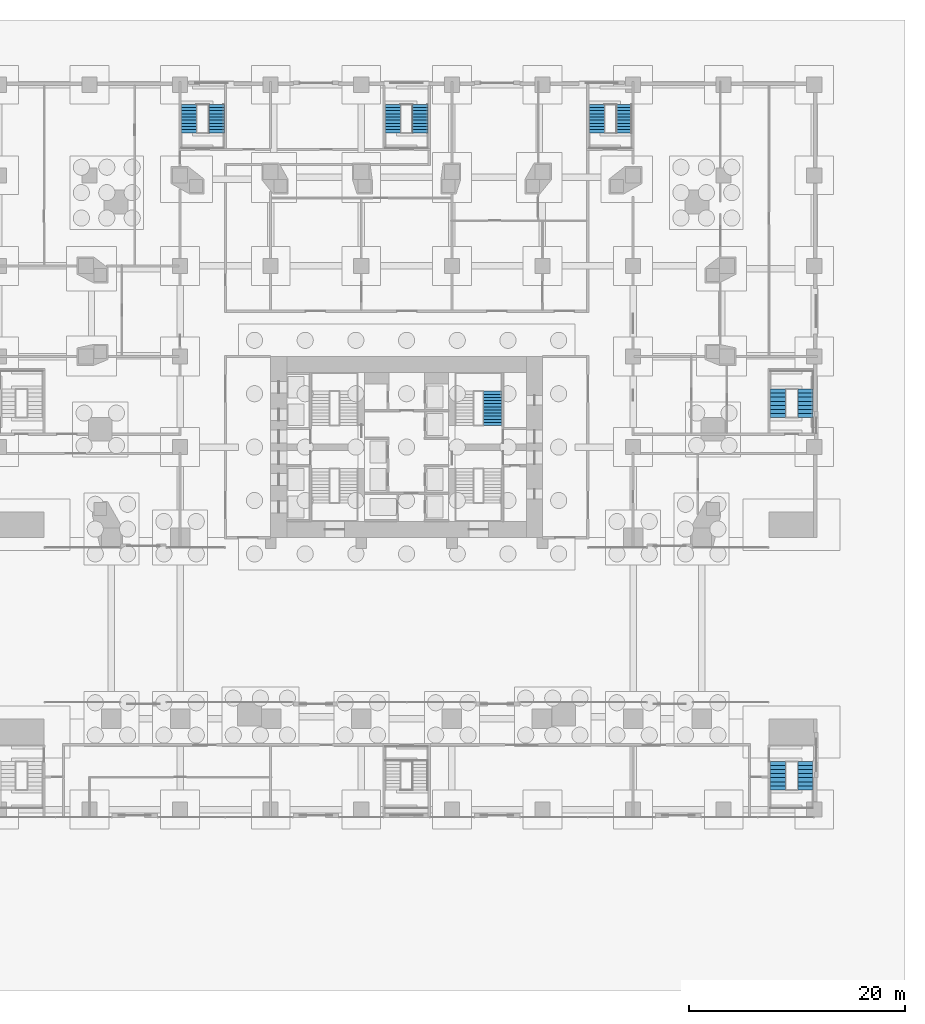
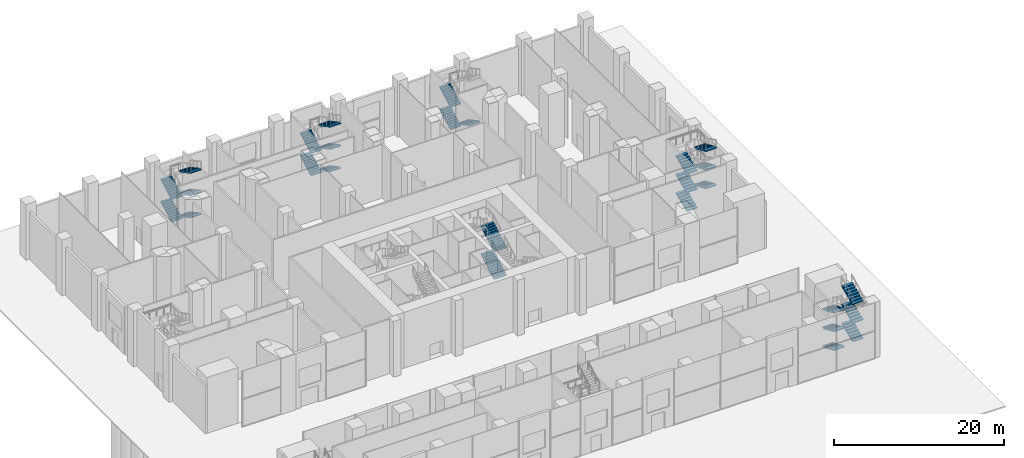
# One storey, part 22 of 31: 27 stair flights, 6 elements without a shape of their own.
"""IFC4 building model written with IfcOpenShell, lengths in metres."""

from ifc_helpers import new_model, si_unit, direction, frame, origin, place, context, subcontext, project, spatial, polyline, outline, extrude, material, type_object, element, aggregate, save


model = new_model("IFC4")

# Units and contexts
model_context = context("Model", 3, precision=1e-05, world=origin(), true_north=direction((0.0, 1.0)))
body_context = subcontext(model_context, "Body", "Model", "MODEL_VIEW")
ifc_project = project(units=[si_unit("LENGTHUNIT", "METRE"), si_unit("AREAUNIT", "SQUARE_METRE"), si_unit("VOLUMEUNIT", "CUBIC_METRE"), si_unit("PLANEANGLEUNIT", "RADIAN"), si_unit("MASSUNIT", "GRAM", prefix="KILO")], contexts=[model_context])

# Site, building, storey
site_placement = place(None, origin())
site = spatial("IfcSite", under=ifc_project, at=site_placement, CompositionType="ELEMENT")
building_placement = place(site_placement, origin())
building = spatial("IfcBuilding", under=site, at=building_placement, Name="Marenta Gate Hotel Tower", CompositionType="ELEMENT")
storey_placement = place(building_placement, origin())
storey = spatial("IfcBuildingStorey", under=building, at=storey_placement, Name="L00", CompositionType="ELEMENT", Elevation=0.0)

# Stair, stair flights
ifc_material_1 = material(Name="Concrete C40", Category="concrete")
stair_type_1 = type_object("IfcStairType", Name="Core exit stair 1700 wide", PredefinedType="HALF_TURN_STAIR", material=ifc_material_1)
stair_1_placement = place(storey_placement, origin())
stair_1 = element("IfcStair", 1, at=stair_1_placement, inside=storey, type_object=stair_type_1, Name="Exit stair 4", PredefinedType="HALF_TURN_STAIR")
ifc_material_2 = material(Name="Concrete C40", Category="concrete")
stair_flight_type_1 = type_object("IfcStairFlightType", Name="Core stair flight 1700 riser 166.7 going 290", PredefinedType="STRAIGHT", material=ifc_material_2)
stair_flight_1_placement = place(storey_placement, frame((8.0, 10.39990234375, 0.0), z_axis=(0.0, 0.0, 1.0), x_axis=(0.0, 1.0, 0.0)))
stair_flight_1 = element("IfcStairFlight", 2, at=stair_flight_1_placement, type_object=stair_flight_type_1, Name="ST4 flight 1", NumberOfRisers=12, NumberOfTreads=11, PredefinedType="STRAIGHT", RiserHeight=0.166667, TreadLength=0.29, context=body_context, shape_type="SweptSolid", body=[
    extrude(outline(polyline([(0.0, 0.0), (0.0, 0.166748046875), (0.2900390625, 0.166748046875), (0.2900390625, 0.333251953125), (0.580078125, 0.333251953125), (0.580078125, 0.5), (0.8701171875, 0.5), (0.8701171875, 0.666748046875), (1.159912109375, 0.666748046875), (1.159912109375, 0.833251953125), (1.449951171875, 0.833251953125), (1.449951171875, 1.0), (1.739990234375, 1.0), (1.739990234375, 1.166748046875), (2.030029296875, 1.166748046875), (2.030029296875, 1.333251953125), (2.320068359375, 1.333251953125), (2.320068359375, 1.5), (2.610107421875, 1.5), (2.610107421875, 1.666748046875), (2.89990234375, 1.666748046875), (2.89990234375, 1.833251953125), (3.18994140625, 1.833251953125), (3.18994140625, 2.0), (3.18994140625, 1.660400390625), (0.30078125, 0.0), (0.0, 0.0)])), frame((0.0, 0.85009765625, 0.0), z_axis=(0.0, -1.0, 0.0), x_axis=(1.0, 0.0, 0.0)), (0.0, 0.0, 1.0), 1.699951171875),
])
stair_flight_2_placement = place(storey_placement, frame((8.0, 10.39990234375, 4.0), z_axis=(0.0, 0.0, 1.0), x_axis=(0.0, 1.0, 0.0)))
stair_flight_2 = element("IfcStairFlight", 3, at=stair_flight_2_placement, type_object=stair_flight_type_1, Name="ST4 flight 3", NumberOfRisers=12, NumberOfTreads=11, PredefinedType="STRAIGHT", RiserHeight=0.166667, TreadLength=0.29, context=body_context, shape_type="SweptSolid", body=[
    extrude(outline(polyline([(0.0, 0.0), (0.0, 0.166748046875), (0.2900390625, 0.166748046875), (0.2900390625, 0.333251953125), (0.580078125, 0.333251953125), (0.580078125, 0.5), (0.8701171875, 0.5), (0.8701171875, 0.666748046875), (1.159912109375, 0.666748046875), (1.159912109375, 0.833251953125), (1.449951171875, 0.833251953125), (1.449951171875, 1.0), (1.739990234375, 1.0), (1.739990234375, 1.166748046875), (2.030029296875, 1.166748046875), (2.030029296875, 1.333251953125), (2.320068359375, 1.333251953125), (2.320068359375, 1.5), (2.610107421875, 1.5), (2.610107421875, 1.666748046875), (2.89990234375, 1.666748046875), (2.89990234375, 1.833251953125), (3.18994140625, 1.833251953125), (3.18994140625, 2.0), (3.18994140625, 1.660400390625), (0.30078125, 0.0), (0.0, 0.0)])), frame((0.0, 0.85009765625, 0.0), z_axis=(0.0, -1.0, 0.0), x_axis=(1.0, 0.0, 0.0)), (0.0, 0.0, 1.0), 1.699951171875),
])
aggregate(stair_1, [stair_flight_1, stair_flight_2])

ifc_material_3 = material(Name="Concrete C40", Category="concrete")
stair_type_2 = type_object("IfcStairType", Name="Podium exit stair 1430 wide", PredefinedType="HALF_TURN_STAIR", material=ifc_material_3)
stair_2_placement = place(storey_placement, origin())
stair_2 = element("IfcStair", 4, at=stair_2_placement, inside=storey, type_object=stair_type_2, Name="Podium exit stair 3", PredefinedType="HALF_TURN_STAIR")
ifc_material_4 = material(Name="Concrete C40", Category="concrete")
stair_flight_type_2 = type_object("IfcStairFlightType", Name="Podium stair flight 1430 riser 160.0 going 295", PredefinedType="STRAIGHT", material=ifc_material_4)
stair_flight_3_placement = place(storey_placement, frame((-17.614990234375, 40.18505859375, 0.0), z_axis=(0.0, 0.0, 1.0), x_axis=(0.0, -1.0, 0.0)))
stair_flight_3 = element("IfcStairFlight", 5, at=stair_flight_3_placement, type_object=stair_flight_type_2, Name="PX3 flight 1", NumberOfRisers=10, NumberOfTreads=9, PredefinedType="STRAIGHT", RiserHeight=0.16, TreadLength=0.295, context=body_context, shape_type="SweptSolid", body=[
    extrude(outline(polyline([(0.0, 0.0), (0.0, 0.159912109375), (0.294921875, 0.159912109375), (0.294921875, 0.320068359375), (0.590087890625, 0.320068359375), (0.590087890625, 0.47998046875), (0.885009765625, 0.47998046875), (0.885009765625, 0.639892578125), (1.179931640625, 0.639892578125), (1.179931640625, 0.800048828125), (1.47509765625, 0.800048828125), (1.47509765625, 0.9599609375), (1.77001953125, 0.9599609375), (1.77001953125, 1.1201171875), (2.06494140625, 1.1201171875), (2.06494140625, 1.280029296875), (2.360107421875, 1.280029296875), (2.360107421875, 1.43994140625), (2.655029296875, 1.43994140625), (2.655029296875, 1.60009765625), (2.655029296875, 1.26953125), (0.314453125, 0.0), (0.0, 0.0)])), frame((0.0, 0.71484375, 0.0), z_axis=(0.0, -1.0, 0.0), x_axis=(1.0, 0.0, 0.0)), (0.0, 0.0, 1.0), 1.429931640625),
])
stair_flight_4_placement = place(storey_placement, frame((-20.18505859375, 37.530029296875, 1.60009765625), z_axis=(0.0, 0.0, 1.0), x_axis=(0.0, 1.0, 0.0)))
stair_flight_4 = element("IfcStairFlight", 6, at=stair_flight_4_placement, type_object=stair_flight_type_2, Name="PX3 flight 2", NumberOfRisers=10, NumberOfTreads=9, PredefinedType="STRAIGHT", RiserHeight=0.16, TreadLength=0.295, context=body_context, shape_type="SweptSolid", body=[
    extrude(outline(polyline([(0.0, 0.0), (0.0, 0.159912109375), (0.294921875, 0.159912109375), (0.294921875, 0.320068359375), (0.590087890625, 0.320068359375), (0.590087890625, 0.47998046875), (0.885009765625, 0.47998046875), (0.885009765625, 0.639892578125), (1.179931640625, 0.639892578125), (1.179931640625, 0.800048828125), (1.47509765625, 0.800048828125), (1.47509765625, 0.9599609375), (1.77001953125, 0.9599609375), (1.77001953125, 1.1201171875), (2.06494140625, 1.1201171875), (2.06494140625, 1.280029296875), (2.360107421875, 1.280029296875), (2.360107421875, 1.43994140625), (2.655029296875, 1.43994140625), (2.655029296875, 1.60009765625), (2.655029296875, 1.26953125), (0.314453125, 0.0), (0.0, 0.0)])), frame((0.0, 0.71484375, 0.0), z_axis=(0.0, -1.0, 0.0), x_axis=(1.0, 0.0, 0.0)), (0.0, 0.0, 1.0), 1.429931640625),
])
stair_flight_5_placement = place(storey_placement, frame((-17.614990234375, 40.18505859375, 3.199951171875), z_axis=(0.0, 0.0, 1.0), x_axis=(0.0, -1.0, 0.0)))
stair_flight_5 = element("IfcStairFlight", 7, at=stair_flight_5_placement, type_object=stair_flight_type_2, Name="PX3 flight 3", NumberOfRisers=10, NumberOfTreads=9, PredefinedType="STRAIGHT", RiserHeight=0.16, TreadLength=0.295, context=body_context, shape_type="SweptSolid", body=[
    extrude(outline(polyline([(0.0, 0.0), (0.0, 0.159912109375), (0.294921875, 0.159912109375), (0.294921875, 0.320068359375), (0.590087890625, 0.320068359375), (0.590087890625, 0.47998046875), (0.885009765625, 0.47998046875), (0.885009765625, 0.639892578125), (1.179931640625, 0.639892578125), (1.179931640625, 0.800048828125), (1.47509765625, 0.800048828125), (1.47509765625, 0.9599609375), (1.77001953125, 0.9599609375), (1.77001953125, 1.1201171875), (2.06494140625, 1.1201171875), (2.06494140625, 1.280029296875), (2.360107421875, 1.280029296875), (2.360107421875, 1.43994140625), (2.655029296875, 1.43994140625), (2.655029296875, 1.60009765625), (2.655029296875, 1.26953125), (0.314453125, 0.0), (0.0, 0.0)])), frame((0.0, 0.71484375, 0.0), z_axis=(0.0, -1.0, 0.0), x_axis=(1.0, 0.0, 0.0)), (0.0, 0.0, 1.0), 1.429931640625),
])
stair_flight_6_placement = place(storey_placement, frame((-20.18505859375, 37.530029296875, 4.800048828125), z_axis=(0.0, 0.0, 1.0), x_axis=(0.0, 1.0, 0.0)))
stair_flight_6 = element("IfcStairFlight", 8, at=stair_flight_6_placement, type_object=stair_flight_type_2, Name="PX3 flight 4", NumberOfRisers=10, NumberOfTreads=9, PredefinedType="STRAIGHT", RiserHeight=0.16, TreadLength=0.295, context=body_context, shape_type="SweptSolid", body=[
    extrude(outline(polyline([(0.0, 0.0), (0.0, 0.159912109375), (0.294921875, 0.159912109375), (0.294921875, 0.320068359375), (0.590087890625, 0.320068359375), (0.590087890625, 0.47998046875), (0.885009765625, 0.47998046875), (0.885009765625, 0.639892578125), (1.179931640625, 0.639892578125), (1.179931640625, 0.800048828125), (1.47509765625, 0.800048828125), (1.47509765625, 0.9599609375), (1.77001953125, 0.9599609375), (1.77001953125, 1.1201171875), (2.06494140625, 1.1201171875), (2.06494140625, 1.280029296875), (2.360107421875, 1.280029296875), (2.360107421875, 1.43994140625), (2.655029296875, 1.43994140625), (2.655029296875, 1.60009765625), (2.655029296875, 1.26953125), (0.314453125, 0.0), (0.0, 0.0)])), frame((0.0, 0.71484375, 0.0), z_axis=(0.0, -1.0, 0.0), x_axis=(1.0, 0.0, 0.0)), (0.0, 0.0, 1.0), 1.429931640625),
])
stair_flight_7_placement = place(storey_placement, frame((-17.614990234375, 40.18505859375, 6.39990234375), z_axis=(0.0, 0.0, 1.0), x_axis=(0.0, -1.0, 0.0)))
stair_flight_7 = element("IfcStairFlight", 9, at=stair_flight_7_placement, type_object=stair_flight_type_2, Name="PX3 flight 5", NumberOfRisers=10, NumberOfTreads=9, PredefinedType="STRAIGHT", RiserHeight=0.16, TreadLength=0.295, context=body_context, shape_type="SweptSolid", body=[
    extrude(outline(polyline([(0.0, 0.0), (0.0, 0.159912109375), (0.294921875, 0.159912109375), (0.294921875, 0.320068359375), (0.590087890625, 0.320068359375), (0.590087890625, 0.47998046875), (0.885009765625, 0.47998046875), (0.885009765625, 0.639892578125), (1.179931640625, 0.639892578125), (1.179931640625, 0.800048828125), (1.47509765625, 0.800048828125), (1.47509765625, 0.9599609375), (1.77001953125, 0.9599609375), (1.77001953125, 1.1201171875), (2.06494140625, 1.1201171875), (2.06494140625, 1.280029296875), (2.360107421875, 1.280029296875), (2.360107421875, 1.43994140625), (2.655029296875, 1.43994140625), (2.655029296875, 1.60009765625), (2.655029296875, 1.26953125), (0.314453125, 0.0), (0.0, 0.0)])), frame((0.0, 0.71484375, 0.0), z_axis=(0.0, -1.0, 0.0), x_axis=(1.0, 0.0, 0.0)), (0.0, 0.0, 1.0), 1.429931640625),
])
aggregate(stair_2, [stair_flight_3, stair_flight_4, stair_flight_5, stair_flight_6, stair_flight_7])

stair_3_placement = place(storey_placement, origin())
stair_3 = element("IfcStair", 10, at=stair_3_placement, inside=storey, type_object=stair_type_2, Name="Podium exit stair 4", PredefinedType="HALF_TURN_STAIR")
stair_flight_8_placement = place(storey_placement, frame((20.18505859375, 40.18505859375, 0.0), z_axis=(0.0, 0.0, 1.0), x_axis=(0.0, -1.0, 0.0)))
stair_flight_8 = element("IfcStairFlight", 11, at=stair_flight_8_placement, type_object=stair_flight_type_2, Name="PX4 flight 1", NumberOfRisers=10, NumberOfTreads=9, PredefinedType="STRAIGHT", RiserHeight=0.16, TreadLength=0.295, context=body_context, shape_type="SweptSolid", body=[
    extrude(outline(polyline([(0.0, 0.0), (0.0, 0.159912109375), (0.294921875, 0.159912109375), (0.294921875, 0.320068359375), (0.590087890625, 0.320068359375), (0.590087890625, 0.47998046875), (0.885009765625, 0.47998046875), (0.885009765625, 0.639892578125), (1.179931640625, 0.639892578125), (1.179931640625, 0.800048828125), (1.47509765625, 0.800048828125), (1.47509765625, 0.9599609375), (1.77001953125, 0.9599609375), (1.77001953125, 1.1201171875), (2.06494140625, 1.1201171875), (2.06494140625, 1.280029296875), (2.360107421875, 1.280029296875), (2.360107421875, 1.43994140625), (2.655029296875, 1.43994140625), (2.655029296875, 1.60009765625), (2.655029296875, 1.26953125), (0.314453125, 0.0), (0.0, 0.0)])), frame((0.0, 0.71484375, 0.0), z_axis=(0.0, -1.0, 0.0), x_axis=(1.0, 0.0, 0.0)), (0.0, 0.0, 1.0), 1.429931640625),
])
stair_flight_9_placement = place(storey_placement, frame((17.614990234375, 37.530029296875, 1.60009765625), z_axis=(0.0, 0.0, 1.0), x_axis=(0.0, 1.0, 0.0)))
stair_flight_9 = element("IfcStairFlight", 12, at=stair_flight_9_placement, type_object=stair_flight_type_2, Name="PX4 flight 2", NumberOfRisers=10, NumberOfTreads=9, PredefinedType="STRAIGHT", RiserHeight=0.16, TreadLength=0.295, context=body_context, shape_type="SweptSolid", body=[
    extrude(outline(polyline([(0.0, 0.0), (0.0, 0.159912109375), (0.294921875, 0.159912109375), (0.294921875, 0.320068359375), (0.590087890625, 0.320068359375), (0.590087890625, 0.47998046875), (0.885009765625, 0.47998046875), (0.885009765625, 0.639892578125), (1.179931640625, 0.639892578125), (1.179931640625, 0.800048828125), (1.47509765625, 0.800048828125), (1.47509765625, 0.9599609375), (1.77001953125, 0.9599609375), (1.77001953125, 1.1201171875), (2.06494140625, 1.1201171875), (2.06494140625, 1.280029296875), (2.360107421875, 1.280029296875), (2.360107421875, 1.43994140625), (2.655029296875, 1.43994140625), (2.655029296875, 1.60009765625), (2.655029296875, 1.26953125), (0.314453125, 0.0), (0.0, 0.0)])), frame((0.0, 0.71484375, 0.0), z_axis=(0.0, -1.0, 0.0), x_axis=(1.0, 0.0, 0.0)), (0.0, 0.0, 1.0), 1.429931640625),
])
stair_flight_10_placement = place(storey_placement, frame((17.614990234375, 37.530029296875, 4.800048828125), z_axis=(0.0, 0.0, 1.0), x_axis=(0.0, 1.0, 0.0)))
stair_flight_10 = element("IfcStairFlight", 13, at=stair_flight_10_placement, type_object=stair_flight_type_2, Name="PX4 flight 4", NumberOfRisers=10, NumberOfTreads=9, PredefinedType="STRAIGHT", RiserHeight=0.16, TreadLength=0.295, context=body_context, shape_type="SweptSolid", body=[
    extrude(outline(polyline([(0.0, 0.0), (0.0, 0.159912109375), (0.294921875, 0.159912109375), (0.294921875, 0.320068359375), (0.590087890625, 0.320068359375), (0.590087890625, 0.47998046875), (0.885009765625, 0.47998046875), (0.885009765625, 0.639892578125), (1.179931640625, 0.639892578125), (1.179931640625, 0.800048828125), (1.47509765625, 0.800048828125), (1.47509765625, 0.9599609375), (1.77001953125, 0.9599609375), (1.77001953125, 1.1201171875), (2.06494140625, 1.1201171875), (2.06494140625, 1.280029296875), (2.360107421875, 1.280029296875), (2.360107421875, 1.43994140625), (2.655029296875, 1.43994140625), (2.655029296875, 1.60009765625), (2.655029296875, 1.26953125), (0.314453125, 0.0), (0.0, 0.0)])), frame((0.0, 0.71484375, 0.0), z_axis=(0.0, -1.0, 0.0), x_axis=(1.0, 0.0, 0.0)), (0.0, 0.0, 1.0), 1.429931640625),
])
aggregate(stair_3, [stair_flight_8, stair_flight_9, stair_flight_10])

stair_4_placement = place(storey_placement, origin())
stair_4 = element("IfcStair", 14, at=stair_4_placement, inside=storey, type_object=stair_type_2, Name="Podium exit stair 8", PredefinedType="HALF_TURN_STAIR")
stair_flight_11_placement = place(storey_placement, frame((1.284912109375, 40.18505859375, 0.0), z_axis=(0.0, 0.0, 1.0), x_axis=(0.0, -1.0, 0.0)))
stair_flight_11 = element("IfcStairFlight", 15, at=stair_flight_11_placement, type_object=stair_flight_type_2, Name="PX8 flight 1", NumberOfRisers=10, NumberOfTreads=9, PredefinedType="STRAIGHT", RiserHeight=0.16, TreadLength=0.295, context=body_context, shape_type="SweptSolid", body=[
    extrude(outline(polyline([(0.0, 0.0), (0.0, 0.159912109375), (0.294921875, 0.159912109375), (0.294921875, 0.320068359375), (0.590087890625, 0.320068359375), (0.590087890625, 0.47998046875), (0.885009765625, 0.47998046875), (0.885009765625, 0.639892578125), (1.179931640625, 0.639892578125), (1.179931640625, 0.800048828125), (1.47509765625, 0.800048828125), (1.47509765625, 0.9599609375), (1.77001953125, 0.9599609375), (1.77001953125, 1.1201171875), (2.06494140625, 1.1201171875), (2.06494140625, 1.280029296875), (2.360107421875, 1.280029296875), (2.360107421875, 1.43994140625), (2.655029296875, 1.43994140625), (2.655029296875, 1.60009765625), (2.655029296875, 1.26953125), (0.314453125, 0.0), (0.0, 0.0)])), frame((0.0, 0.71484375, 0.0), z_axis=(0.0, -1.0, 0.0), x_axis=(1.0, 0.0, 0.0)), (0.0, 0.0, 1.0), 1.429931640625),
])
stair_flight_12_placement = place(storey_placement, frame((-1.284912109375, 37.530029296875, 1.60009765625), z_axis=(0.0, 0.0, 1.0), x_axis=(0.0, 1.0, 0.0)))
stair_flight_12 = element("IfcStairFlight", 16, at=stair_flight_12_placement, type_object=stair_flight_type_2, Name="PX8 flight 2", NumberOfRisers=10, NumberOfTreads=9, PredefinedType="STRAIGHT", RiserHeight=0.16, TreadLength=0.295, context=body_context, shape_type="SweptSolid", body=[
    extrude(outline(polyline([(0.0, 0.0), (0.0, 0.159912109375), (0.294921875, 0.159912109375), (0.294921875, 0.320068359375), (0.590087890625, 0.320068359375), (0.590087890625, 0.47998046875), (0.885009765625, 0.47998046875), (0.885009765625, 0.639892578125), (1.179931640625, 0.639892578125), (1.179931640625, 0.800048828125), (1.47509765625, 0.800048828125), (1.47509765625, 0.9599609375), (1.77001953125, 0.9599609375), (1.77001953125, 1.1201171875), (2.06494140625, 1.1201171875), (2.06494140625, 1.280029296875), (2.360107421875, 1.280029296875), (2.360107421875, 1.43994140625), (2.655029296875, 1.43994140625), (2.655029296875, 1.60009765625), (2.655029296875, 1.26953125), (0.314453125, 0.0), (0.0, 0.0)])), frame((0.0, 0.71484375, 0.0), z_axis=(0.0, -1.0, 0.0), x_axis=(1.0, 0.0, 0.0)), (0.0, 0.0, 1.0), 1.429931640625),
])
stair_flight_13_placement = place(storey_placement, frame((1.284912109375, 40.18505859375, 3.199951171875), z_axis=(0.0, 0.0, 1.0), x_axis=(0.0, -1.0, 0.0)))
stair_flight_13 = element("IfcStairFlight", 17, at=stair_flight_13_placement, type_object=stair_flight_type_2, Name="PX8 flight 3", NumberOfRisers=10, NumberOfTreads=9, PredefinedType="STRAIGHT", RiserHeight=0.16, TreadLength=0.295, context=body_context, shape_type="SweptSolid", body=[
    extrude(outline(polyline([(0.0, 0.0), (0.0, 0.159912109375), (0.294921875, 0.159912109375), (0.294921875, 0.320068359375), (0.590087890625, 0.320068359375), (0.590087890625, 0.47998046875), (0.885009765625, 0.47998046875), (0.885009765625, 0.639892578125), (1.179931640625, 0.639892578125), (1.179931640625, 0.800048828125), (1.47509765625, 0.800048828125), (1.47509765625, 0.9599609375), (1.77001953125, 0.9599609375), (1.77001953125, 1.1201171875), (2.06494140625, 1.1201171875), (2.06494140625, 1.280029296875), (2.360107421875, 1.280029296875), (2.360107421875, 1.43994140625), (2.655029296875, 1.43994140625), (2.655029296875, 1.60009765625), (2.655029296875, 1.26953125), (0.314453125, 0.0), (0.0, 0.0)])), frame((0.0, 0.71484375, 0.0), z_axis=(0.0, -1.0, 0.0), x_axis=(1.0, 0.0, 0.0)), (0.0, 0.0, 1.0), 1.429931640625),
])
stair_flight_14_placement = place(storey_placement, frame((-1.284912109375, 37.530029296875, 4.800048828125), z_axis=(0.0, 0.0, 1.0), x_axis=(0.0, 1.0, 0.0)))
stair_flight_14 = element("IfcStairFlight", 18, at=stair_flight_14_placement, type_object=stair_flight_type_2, Name="PX8 flight 4", NumberOfRisers=10, NumberOfTreads=9, PredefinedType="STRAIGHT", RiserHeight=0.16, TreadLength=0.295, context=body_context, shape_type="SweptSolid", body=[
    extrude(outline(polyline([(0.0, 0.0), (0.0, 0.159912109375), (0.294921875, 0.159912109375), (0.294921875, 0.320068359375), (0.590087890625, 0.320068359375), (0.590087890625, 0.47998046875), (0.885009765625, 0.47998046875), (0.885009765625, 0.639892578125), (1.179931640625, 0.639892578125), (1.179931640625, 0.800048828125), (1.47509765625, 0.800048828125), (1.47509765625, 0.9599609375), (1.77001953125, 0.9599609375), (1.77001953125, 1.1201171875), (2.06494140625, 1.1201171875), (2.06494140625, 1.280029296875), (2.360107421875, 1.280029296875), (2.360107421875, 1.43994140625), (2.655029296875, 1.43994140625), (2.655029296875, 1.60009765625), (2.655029296875, 1.26953125), (0.314453125, 0.0), (0.0, 0.0)])), frame((0.0, 0.71484375, 0.0), z_axis=(0.0, -1.0, 0.0), x_axis=(1.0, 0.0, 0.0)), (0.0, 0.0, 1.0), 1.429931640625),
])
stair_flight_15_placement = place(storey_placement, frame((1.284912109375, 40.18505859375, 6.39990234375), z_axis=(0.0, 0.0, 1.0), x_axis=(0.0, -1.0, 0.0)))
stair_flight_15 = element("IfcStairFlight", 19, at=stair_flight_15_placement, type_object=stair_flight_type_2, Name="PX8 flight 5", NumberOfRisers=10, NumberOfTreads=9, PredefinedType="STRAIGHT", RiserHeight=0.16, TreadLength=0.295, context=body_context, shape_type="SweptSolid", body=[
    extrude(outline(polyline([(0.0, 0.0), (0.0, 0.159912109375), (0.294921875, 0.159912109375), (0.294921875, 0.320068359375), (0.590087890625, 0.320068359375), (0.590087890625, 0.47998046875), (0.885009765625, 0.47998046875), (0.885009765625, 0.639892578125), (1.179931640625, 0.639892578125), (1.179931640625, 0.800048828125), (1.47509765625, 0.800048828125), (1.47509765625, 0.9599609375), (1.77001953125, 0.9599609375), (1.77001953125, 1.1201171875), (2.06494140625, 1.1201171875), (2.06494140625, 1.280029296875), (2.360107421875, 1.280029296875), (2.360107421875, 1.43994140625), (2.655029296875, 1.43994140625), (2.655029296875, 1.60009765625), (2.655029296875, 1.26953125), (0.314453125, 0.0), (0.0, 0.0)])), frame((0.0, 0.71484375, 0.0), z_axis=(0.0, -1.0, 0.0), x_axis=(1.0, 0.0, 0.0)), (0.0, 0.0, 1.0), 1.429931640625),
])
aggregate(stair_4, [stair_flight_11, stair_flight_12, stair_flight_13, stair_flight_14, stair_flight_15])

stair_5_placement = place(storey_placement, origin())
stair_5 = element("IfcStair", 20, at=stair_5_placement, inside=storey, type_object=stair_type_2, Name="Podium exit stair 2", PredefinedType="HALF_TURN_STAIR")
ifc_material_5 = material(Name="Concrete C40", Category="concrete")
stair_flight_type_3 = type_object("IfcStairFlightType", Name="Podium stair flight 1430 riser 166.7 going 380", PredefinedType="STRAIGHT", material=ifc_material_5)
stair_flight_16_placement = place(storey_placement, frame((34.4150390625, -20.72998046875, 0.0), z_axis=(0.0, 0.0, 1.0), x_axis=(0.0, -1.0, 0.0)))
stair_flight_16 = element("IfcStairFlight", 21, at=stair_flight_16_placement, type_object=stair_flight_type_3, Name="PX2 flight 1", NumberOfRisers=8, NumberOfTreads=7, PredefinedType="STRAIGHT", RiserHeight=0.166667, TreadLength=0.38, context=body_context, shape_type="SweptSolid", body=[
    extrude(outline(polyline([(0.0, 0.0), (0.0, 0.166748046875), (0.3798828125, 0.166748046875), (0.3798828125, 0.333251953125), (0.760009765625, 0.333251953125), (0.760009765625, 0.5), (1.139892578125, 0.5), (1.139892578125, 0.666748046875), (1.52001953125, 0.666748046875), (1.52001953125, 0.833251953125), (1.89990234375, 0.833251953125), (1.89990234375, 1.0), (2.280029296875, 1.0), (2.280029296875, 1.166748046875), (2.659912109375, 1.166748046875), (2.659912109375, 1.333251953125), (2.659912109375, 1.0029296875), (0.373291015625, 0.0), (0.0, 0.0)])), frame((0.0, 0.71484375, 0.0), z_axis=(0.0, -1.0, 0.0), x_axis=(1.0, 0.0, 0.0)), (0.0, 0.0, 1.0), 1.429931640625),
])
stair_flight_17_placement = place(storey_placement, frame((36.985107421875, -23.389892578125, 1.333251953125), z_axis=(0.0, 0.0, 1.0), x_axis=(0.0, 1.0, 0.0)))
stair_flight_17 = element("IfcStairFlight", 22, at=stair_flight_17_placement, type_object=stair_flight_type_3, Name="PX2 flight 2", NumberOfRisers=8, NumberOfTreads=7, PredefinedType="STRAIGHT", RiserHeight=0.166667, TreadLength=0.38, context=body_context, shape_type="SweptSolid", body=[
    extrude(outline(polyline([(0.0, 0.0), (0.0, 0.166748046875), (0.3798828125, 0.166748046875), (0.3798828125, 0.333251953125), (0.760009765625, 0.333251953125), (0.760009765625, 0.5), (1.139892578125, 0.5), (1.139892578125, 0.666748046875), (1.52001953125, 0.666748046875), (1.52001953125, 0.833251953125), (1.89990234375, 0.833251953125), (1.89990234375, 1.0), (2.280029296875, 1.0), (2.280029296875, 1.166748046875), (2.659912109375, 1.166748046875), (2.659912109375, 1.333251953125), (2.659912109375, 1.0029296875), (0.373291015625, 0.0), (0.0, 0.0)])), frame((0.0, 0.71484375, 0.0), z_axis=(0.0, -1.0, 0.0), x_axis=(1.0, 0.0, 0.0)), (0.0, 0.0, 1.0), 1.429931640625),
])
stair_flight_18_placement = place(storey_placement, frame((34.4150390625, -20.72998046875, 2.666748046875), z_axis=(0.0, 0.0, 1.0), x_axis=(0.0, -1.0, 0.0)))
stair_flight_18 = element("IfcStairFlight", 23, at=stair_flight_18_placement, type_object=stair_flight_type_3, Name="PX2 flight 3", NumberOfRisers=8, NumberOfTreads=7, PredefinedType="STRAIGHT", RiserHeight=0.166667, TreadLength=0.38, context=body_context, shape_type="SweptSolid", body=[
    extrude(outline(polyline([(0.0, 0.0), (0.0, 0.166748046875), (0.3798828125, 0.166748046875), (0.3798828125, 0.333251953125), (0.760009765625, 0.333251953125), (0.760009765625, 0.5), (1.139892578125, 0.5), (1.139892578125, 0.666748046875), (1.52001953125, 0.666748046875), (1.52001953125, 0.833251953125), (1.89990234375, 0.833251953125), (1.89990234375, 1.0), (2.280029296875, 1.0), (2.280029296875, 1.166748046875), (2.659912109375, 1.166748046875), (2.659912109375, 1.333251953125), (2.659912109375, 1.0029296875), (0.373291015625, 0.0), (0.0, 0.0)])), frame((0.0, 0.71484375, 0.0), z_axis=(0.0, -1.0, 0.0), x_axis=(1.0, 0.0, 0.0)), (0.0, 0.0, 1.0), 1.429931640625),
])
stair_flight_19_placement = place(storey_placement, frame((36.985107421875, -23.389892578125, 4.0), z_axis=(0.0, 0.0, 1.0), x_axis=(0.0, 1.0, 0.0)))
stair_flight_19 = element("IfcStairFlight", 24, at=stair_flight_19_placement, type_object=stair_flight_type_3, Name="PX2 flight 4", NumberOfRisers=8, NumberOfTreads=7, PredefinedType="STRAIGHT", RiserHeight=0.166667, TreadLength=0.38, context=body_context, shape_type="SweptSolid", body=[
    extrude(outline(polyline([(0.0, 0.0), (0.0, 0.166748046875), (0.3798828125, 0.166748046875), (0.3798828125, 0.333251953125), (0.760009765625, 0.333251953125), (0.760009765625, 0.5), (1.139892578125, 0.5), (1.139892578125, 0.666748046875), (1.52001953125, 0.666748046875), (1.52001953125, 0.833251953125), (1.89990234375, 0.833251953125), (1.89990234375, 1.0), (2.280029296875, 1.0), (2.280029296875, 1.166748046875), (2.659912109375, 1.166748046875), (2.659912109375, 1.333251953125), (2.659912109375, 1.0029296875), (0.373291015625, 0.0), (0.0, 0.0)])), frame((0.0, 0.71484375, 0.0), z_axis=(0.0, -1.0, 0.0), x_axis=(1.0, 0.0, 0.0)), (0.0, 0.0, 1.0), 1.429931640625),
])
stair_flight_20_placement = place(storey_placement, frame((34.4150390625, -20.72998046875, 5.333251953125), z_axis=(0.0, 0.0, 1.0), x_axis=(0.0, -1.0, 0.0)))
stair_flight_20 = element("IfcStairFlight", 25, at=stair_flight_20_placement, type_object=stair_flight_type_3, Name="PX2 flight 5", NumberOfRisers=8, NumberOfTreads=7, PredefinedType="STRAIGHT", RiserHeight=0.166667, TreadLength=0.38, context=body_context, shape_type="SweptSolid", body=[
    extrude(outline(polyline([(0.0, 0.0), (0.0, 0.166748046875), (0.3798828125, 0.166748046875), (0.3798828125, 0.333251953125), (0.760009765625, 0.333251953125), (0.760009765625, 0.5), (1.139892578125, 0.5), (1.139892578125, 0.666748046875), (1.52001953125, 0.666748046875), (1.52001953125, 0.833251953125), (1.89990234375, 0.833251953125), (1.89990234375, 1.0), (2.280029296875, 1.0), (2.280029296875, 1.166748046875), (2.659912109375, 1.166748046875), (2.659912109375, 1.333251953125), (2.659912109375, 1.0029296875), (0.373291015625, 0.0), (0.0, 0.0)])), frame((0.0, 0.71484375, 0.0), z_axis=(0.0, -1.0, 0.0), x_axis=(1.0, 0.0, 0.0)), (0.0, 0.0, 1.0), 1.429931640625),
])
stair_flight_21_placement = place(storey_placement, frame((36.985107421875, -23.389892578125, 6.666748046875), z_axis=(0.0, 0.0, 1.0), x_axis=(0.0, 1.0, 0.0)))
stair_flight_21 = element("IfcStairFlight", 26, at=stair_flight_21_placement, type_object=stair_flight_type_3, Name="PX2 flight 6", NumberOfRisers=8, NumberOfTreads=7, PredefinedType="STRAIGHT", RiserHeight=0.166667, TreadLength=0.38, context=body_context, shape_type="SweptSolid", body=[
    extrude(outline(polyline([(0.0, 0.0), (0.0, 0.166748046875), (0.3798828125, 0.166748046875), (0.3798828125, 0.333251953125), (0.760009765625, 0.333251953125), (0.760009765625, 0.5), (1.139892578125, 0.5), (1.139892578125, 0.666748046875), (1.52001953125, 0.666748046875), (1.52001953125, 0.833251953125), (1.89990234375, 0.833251953125), (1.89990234375, 1.0), (2.280029296875, 1.0), (2.280029296875, 1.166748046875), (2.659912109375, 1.166748046875), (2.659912109375, 1.333251953125), (2.659912109375, 1.0029296875), (0.373291015625, 0.0), (0.0, 0.0)])), frame((0.0, 0.71484375, 0.0), z_axis=(0.0, -1.0, 0.0), x_axis=(1.0, 0.0, 0.0)), (0.0, 0.0, 1.0), 1.429931640625),
])
aggregate(stair_5, [stair_flight_16, stair_flight_17, stair_flight_18, stair_flight_19, stair_flight_20, stair_flight_21])

stair_6_placement = place(storey_placement, origin())
stair_6 = element("IfcStair", 27, at=stair_6_placement, inside=storey, type_object=stair_type_2, Name="Podium exit stair 7", PredefinedType="HALF_TURN_STAIR")
stair_flight_22_placement = place(storey_placement, frame((34.4150390625, 11.1298828125, 0.0), z_axis=(0.0, 0.0, 1.0), x_axis=(0.0, 1.0, 0.0)))
stair_flight_22 = element("IfcStairFlight", 28, at=stair_flight_22_placement, type_object=stair_flight_type_3, Name="PX7 flight 1", NumberOfRisers=8, NumberOfTreads=7, PredefinedType="STRAIGHT", RiserHeight=0.166667, TreadLength=0.38, context=body_context, shape_type="SweptSolid", body=[
    extrude(outline(polyline([(0.0, 0.0), (0.0, 0.166748046875), (0.3798828125, 0.166748046875), (0.3798828125, 0.333251953125), (0.760009765625, 0.333251953125), (0.760009765625, 0.5), (1.139892578125, 0.5), (1.139892578125, 0.666748046875), (1.52001953125, 0.666748046875), (1.52001953125, 0.833251953125), (1.89990234375, 0.833251953125), (1.89990234375, 1.0), (2.280029296875, 1.0), (2.280029296875, 1.166748046875), (2.659912109375, 1.166748046875), (2.659912109375, 1.333251953125), (2.659912109375, 1.0029296875), (0.373291015625, 0.0), (0.0, 0.0)])), frame((0.0, 0.71484375, 0.0), z_axis=(0.0, -1.0, 0.0), x_axis=(1.0, 0.0, 0.0)), (0.0, 0.0, 1.0), 1.429931640625),
])
stair_flight_23_placement = place(storey_placement, frame((36.985107421875, 13.7900390625, 1.333251953125), z_axis=(0.0, 0.0, 1.0), x_axis=(0.0, -1.0, 0.0)))
stair_flight_23 = element("IfcStairFlight", 29, at=stair_flight_23_placement, type_object=stair_flight_type_3, Name="PX7 flight 2", NumberOfRisers=8, NumberOfTreads=7, PredefinedType="STRAIGHT", RiserHeight=0.166667, TreadLength=0.38, context=body_context, shape_type="SweptSolid", body=[
    extrude(outline(polyline([(0.0, 0.0), (0.0, 0.166748046875), (0.3798828125, 0.166748046875), (0.3798828125, 0.333251953125), (0.760009765625, 0.333251953125), (0.760009765625, 0.5), (1.139892578125, 0.5), (1.139892578125, 0.666748046875), (1.52001953125, 0.666748046875), (1.52001953125, 0.833251953125), (1.89990234375, 0.833251953125), (1.89990234375, 1.0), (2.280029296875, 1.0), (2.280029296875, 1.166748046875), (2.659912109375, 1.166748046875), (2.659912109375, 1.333251953125), (2.659912109375, 1.0029296875), (0.373291015625, 0.0), (0.0, 0.0)])), frame((0.0, 0.71484375, 0.0), z_axis=(0.0, -1.0, 0.0), x_axis=(1.0, 0.0, 0.0)), (0.0, 0.0, 1.0), 1.429931640625),
])
stair_flight_24_placement = place(storey_placement, frame((34.4150390625, 11.1298828125, 2.666748046875), z_axis=(0.0, 0.0, 1.0), x_axis=(0.0, 1.0, 0.0)))
stair_flight_24 = element("IfcStairFlight", 30, at=stair_flight_24_placement, type_object=stair_flight_type_3, Name="PX7 flight 3", NumberOfRisers=8, NumberOfTreads=7, PredefinedType="STRAIGHT", RiserHeight=0.166667, TreadLength=0.38, context=body_context, shape_type="SweptSolid", body=[
    extrude(outline(polyline([(0.0, 0.0), (0.0, 0.166748046875), (0.3798828125, 0.166748046875), (0.3798828125, 0.333251953125), (0.760009765625, 0.333251953125), (0.760009765625, 0.5), (1.139892578125, 0.5), (1.139892578125, 0.666748046875), (1.52001953125, 0.666748046875), (1.52001953125, 0.833251953125), (1.89990234375, 0.833251953125), (1.89990234375, 1.0), (2.280029296875, 1.0), (2.280029296875, 1.166748046875), (2.659912109375, 1.166748046875), (2.659912109375, 1.333251953125), (2.659912109375, 1.0029296875), (0.373291015625, 0.0), (0.0, 0.0)])), frame((0.0, 0.71484375, 0.0), z_axis=(0.0, -1.0, 0.0), x_axis=(1.0, 0.0, 0.0)), (0.0, 0.0, 1.0), 1.429931640625),
])
stair_flight_25_placement = place(storey_placement, frame((36.985107421875, 13.7900390625, 4.0), z_axis=(0.0, 0.0, 1.0), x_axis=(0.0, -1.0, 0.0)))
stair_flight_25 = element("IfcStairFlight", 31, at=stair_flight_25_placement, type_object=stair_flight_type_3, Name="PX7 flight 4", NumberOfRisers=8, NumberOfTreads=7, PredefinedType="STRAIGHT", RiserHeight=0.166667, TreadLength=0.38, context=body_context, shape_type="SweptSolid", body=[
    extrude(outline(polyline([(0.0, 0.0), (0.0, 0.166748046875), (0.3798828125, 0.166748046875), (0.3798828125, 0.333251953125), (0.760009765625, 0.333251953125), (0.760009765625, 0.5), (1.139892578125, 0.5), (1.139892578125, 0.666748046875), (1.52001953125, 0.666748046875), (1.52001953125, 0.833251953125), (1.89990234375, 0.833251953125), (1.89990234375, 1.0), (2.280029296875, 1.0), (2.280029296875, 1.166748046875), (2.659912109375, 1.166748046875), (2.659912109375, 1.333251953125), (2.659912109375, 1.0029296875), (0.373291015625, 0.0), (0.0, 0.0)])), frame((0.0, 0.71484375, 0.0), z_axis=(0.0, -1.0, 0.0), x_axis=(1.0, 0.0, 0.0)), (0.0, 0.0, 1.0), 1.429931640625),
])
stair_flight_26_placement = place(storey_placement, frame((34.4150390625, 11.1298828125, 5.333251953125), z_axis=(0.0, 0.0, 1.0), x_axis=(0.0, 1.0, 0.0)))
stair_flight_26 = element("IfcStairFlight", 32, at=stair_flight_26_placement, type_object=stair_flight_type_3, Name="PX7 flight 5", NumberOfRisers=8, NumberOfTreads=7, PredefinedType="STRAIGHT", RiserHeight=0.166667, TreadLength=0.38, context=body_context, shape_type="SweptSolid", body=[
    extrude(outline(polyline([(0.0, 0.0), (0.0, 0.166748046875), (0.3798828125, 0.166748046875), (0.3798828125, 0.333251953125), (0.760009765625, 0.333251953125), (0.760009765625, 0.5), (1.139892578125, 0.5), (1.139892578125, 0.666748046875), (1.52001953125, 0.666748046875), (1.52001953125, 0.833251953125), (1.89990234375, 0.833251953125), (1.89990234375, 1.0), (2.280029296875, 1.0), (2.280029296875, 1.166748046875), (2.659912109375, 1.166748046875), (2.659912109375, 1.333251953125), (2.659912109375, 1.0029296875), (0.373291015625, 0.0), (0.0, 0.0)])), frame((0.0, 0.71484375, 0.0), z_axis=(0.0, -1.0, 0.0), x_axis=(1.0, 0.0, 0.0)), (0.0, 0.0, 1.0), 1.429931640625),
])
stair_flight_27_placement = place(storey_placement, frame((36.985107421875, 13.7900390625, 6.666748046875), z_axis=(0.0, 0.0, 1.0), x_axis=(0.0, -1.0, 0.0)))
stair_flight_27 = element("IfcStairFlight", 33, at=stair_flight_27_placement, type_object=stair_flight_type_3, Name="PX7 flight 6", NumberOfRisers=8, NumberOfTreads=7, PredefinedType="STRAIGHT", RiserHeight=0.166667, TreadLength=0.38, context=body_context, shape_type="SweptSolid", body=[
    extrude(outline(polyline([(0.0, 0.0), (0.0, 0.166748046875), (0.3798828125, 0.166748046875), (0.3798828125, 0.333251953125), (0.760009765625, 0.333251953125), (0.760009765625, 0.5), (1.139892578125, 0.5), (1.139892578125, 0.666748046875), (1.52001953125, 0.666748046875), (1.52001953125, 0.833251953125), (1.89990234375, 0.833251953125), (1.89990234375, 1.0), (2.280029296875, 1.0), (2.280029296875, 1.166748046875), (2.659912109375, 1.166748046875), (2.659912109375, 1.333251953125), (2.659912109375, 1.0029296875), (0.373291015625, 0.0), (0.0, 0.0)])), frame((0.0, 0.71484375, 0.0), z_axis=(0.0, -1.0, 0.0), x_axis=(1.0, 0.0, 0.0)), (0.0, 0.0, 1.0), 1.429931640625),
])
aggregate(stair_6, [stair_flight_22, stair_flight_23, stair_flight_24, stair_flight_25, stair_flight_26, stair_flight_27])

save(model, "model.ifc")
